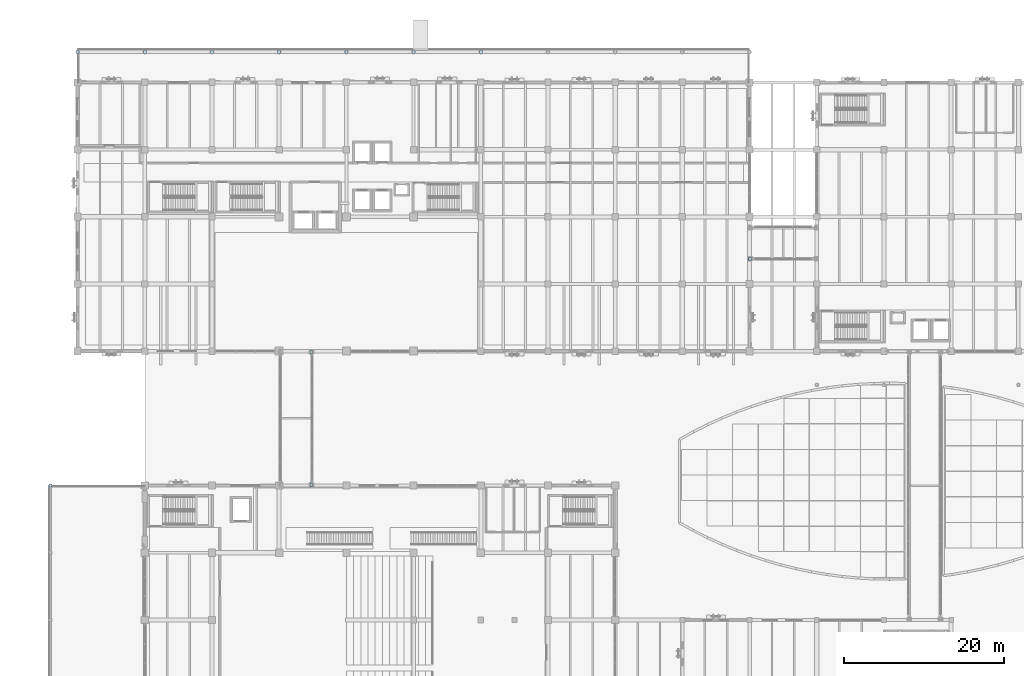
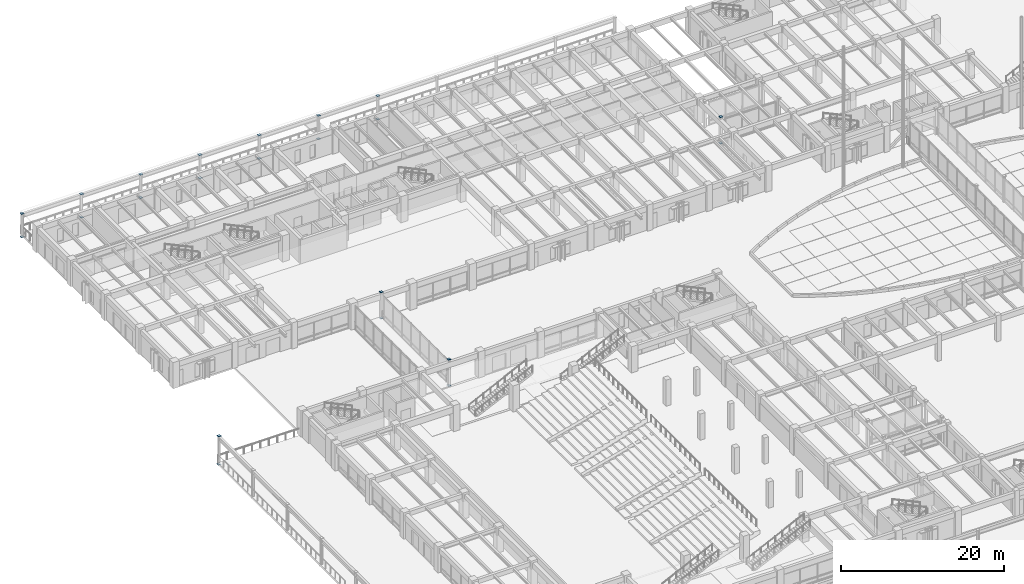
# One storey, part 77 of 135: 22 plates.
"""IFC4 building model written with IfcOpenShell, lengths in metres."""

from ifc_helpers import new_model, si_unit, direction, frame, origin, origin_2d, place, context, subcontext, project, spatial, rectangle, extrude, material, layer, layer_set, type_object, element, save


model = new_model("IFC4")

# Units and contexts
model_context = context("Model", 3, precision=1e-05, world=origin(), true_north=direction((0.0, 1.0)))
body_context = subcontext(model_context, "Body", "Model", "MODEL_VIEW")
ifc_project = project(units=[si_unit("LENGTHUNIT", "METRE"), si_unit("AREAUNIT", "SQUARE_METRE"), si_unit("VOLUMEUNIT", "CUBIC_METRE"), si_unit("PLANEANGLEUNIT", "RADIAN"), si_unit("MASSUNIT", "GRAM", prefix="KILO")], contexts=[model_context])

# Site, building, storey
site_placement = place(None, origin())
site = spatial("IfcSite", under=ifc_project, at=site_placement, CompositionType="ELEMENT")
building_placement = place(site_placement, origin())
building = spatial("IfcBuilding", under=site, at=building_placement, Name="Cumbredor Promenade Congress Hotel", CompositionType="ELEMENT")
storey_placement = place(building_placement, origin())
storey = spatial("IfcBuildingStorey", under=building, at=storey_placement, Name="L00", CompositionType="ELEMENT", Elevation=0.0)

# Plates
ifc_material = material(Name="Steel ASTM A572 Grade 50", Category="steel")
ifc_layer = layer(ifc_material, 0.02001953125, Name="Steel ASTM A572 Grade 50", Category="steel")
ifc_layer_set = layer_set([ifc_layer], Name="Steel ASTM A572 Grade 50")
plate_type = type_object("IfcPlateType", Name="Hollow Section End Cap Plate CP-04", PredefinedType="USERDEFINED", material=ifc_layer_set)
for number, where, z_axis, x_axis, name in (
    (1, (-3.39990234375, 67.199951171875, -0.318115234375), (0.0, 0.0, 1.0), (1.0, 0.0, 0.0), "Promenade Colonnade Column TC-008 Start Cap Plate"),
    (2, (-3.39990234375, 67.199951171875, 3.91796875), (0.0, 0.0, 1.0), (1.0, 0.0, 0.0), "Promenade Colonnade Column TC-008 End Cap Plate"),
    (3, (0.0, 121.39990234375, -0.318115234375), (0.0, 0.0, 1.0), (1.0, 0.0, 0.0), "Promenade Colonnade Column TC-031 Start Cap Plate"),
    (4, (0.0, 121.39990234375, 3.18310546875), (0.0, 0.0, 1.0), (1.0, 0.0, 0.0), "Promenade Colonnade Column TC-031 End Cap Plate"),
    (5, (8.39990234375, 121.39990234375, -0.318115234375), (0.0, 0.0, 1.0), (1.0, 0.0, 0.0), "Promenade Colonnade Column TC-032 Start Cap Plate"),
    (6, (8.39990234375, 121.39990234375, 3.18310546875), (0.0, 0.0, 1.0), (1.0, 0.0, 0.0), "Promenade Colonnade Column TC-032 End Cap Plate"),
    (7, (16.800048828125, 121.39990234375, -0.318115234375), (0.0, 0.0, 1.0), (1.0, 0.0, 0.0), "Promenade Colonnade Column TC-033 Start Cap Plate"),
    (8, (16.800048828125, 121.39990234375, 3.18310546875), (0.0, 0.0, 1.0), (1.0, 0.0, 0.0), "Promenade Colonnade Column TC-033 End Cap Plate"),
    (9, (25.199951171875, 121.39990234375, -0.318115234375), (0.0, 0.0, 1.0), (1.0, 0.0, 0.0), "Promenade Colonnade Column TC-034 Start Cap Plate"),
    (10, (25.199951171875, 121.39990234375, 3.18310546875), (0.0, 0.0, 1.0), (1.0, 0.0, 0.0), "Promenade Colonnade Column TC-034 End Cap Plate"),
    (11, (33.60009765625, 121.39990234375, -0.318115234375), (0.0, 0.0, 1.0), (1.0, 0.0, 0.0), "Promenade Colonnade Column TC-035 Start Cap Plate"),
    (12, (33.60009765625, 121.39990234375, 3.18310546875), (0.0, 0.0, 1.0), (1.0, 0.0, 0.0), "Promenade Colonnade Column TC-035 End Cap Plate"),
    (13, (42.0, 121.39990234375, -0.318115234375), (0.0, 0.0, 1.0), (1.0, 0.0, 0.0), "Promenade Colonnade Column TC-036 Start Cap Plate"),
    (14, (42.0, 121.39990234375, 3.18310546875), (0.0, 0.0, 1.0), (1.0, 0.0, 0.0), "Promenade Colonnade Column TC-036 End Cap Plate"),
    (15, (50.39990234375, 121.39990234375, -0.318115234375), (0.0, 0.0, 1.0), (1.0, 0.0, 0.0), "Promenade Colonnade Column TC-037 Start Cap Plate"),
    (16, (50.39990234375, 121.39990234375, 3.18310546875), (0.0, 0.0, 1.0), (1.0, 0.0, 0.0), "Promenade Colonnade Column TC-037 End Cap Plate"),
    (17, (29.25, 67.280029296875, -0.01806640625), (0.0, 0.0, 1.0), (1.0, 0.0, 0.0), "L00 West Congress-to-Hotel Glazed Bridge Support Column 2 Start Cap Plate"),
    (18, (29.25, 67.280029296875, 3.91796875), (0.0, 0.0, 1.0), (1.0, 0.0, 0.0), "L00 West Congress-to-Hotel Glazed Bridge Support Column 2 End Cap Plate"),
    (19, (29.25, 83.919921875, -0.01806640625), (0.0, 0.0, 1.0), (1.0, 0.0, 0.0), "L00 West Congress-to-Hotel Glazed Bridge Support Column 4 Start Cap Plate"),
    (20, (29.25, 83.919921875, 3.91796875), (0.0, 0.0, 1.0), (1.0, 0.0, 0.0), "L00 West Congress-to-Hotel Glazed Bridge Support Column 4 End Cap Plate"),
    (21, (84.080078125, 95.550048828125, -0.01806640625), (0.0, 0.0, 1.0), (1.0, 0.0, 0.0), "L00 North Hotel-to-Forum Glazed Bridge Support Column 1 Start Cap Plate"),
    (22, (84.080078125, 95.550048828125, 3.91796875), (0.0, 0.0, 1.0), (1.0, 0.0, 0.0), "L00 North Hotel-to-Forum Glazed Bridge Support Column 1 End Cap Plate"),
):
    element("IfcPlate", number, at=place(storey_placement, frame(where, z_axis=z_axis, x_axis=x_axis)), inside=storey, type_object=plate_type, Name=name, ObjectType="CAP PLATE", PredefinedType="USERDEFINED", context=body_context, shape_type="SweptSolid", body=[
        extrude(rectangle(XDim=0.3798828125, YDim=0.3798828125, at=origin_2d()), origin(), (0.0, 0.0, 1.0), 0.02001953125),
    ])

save(model, "model.ifc")
